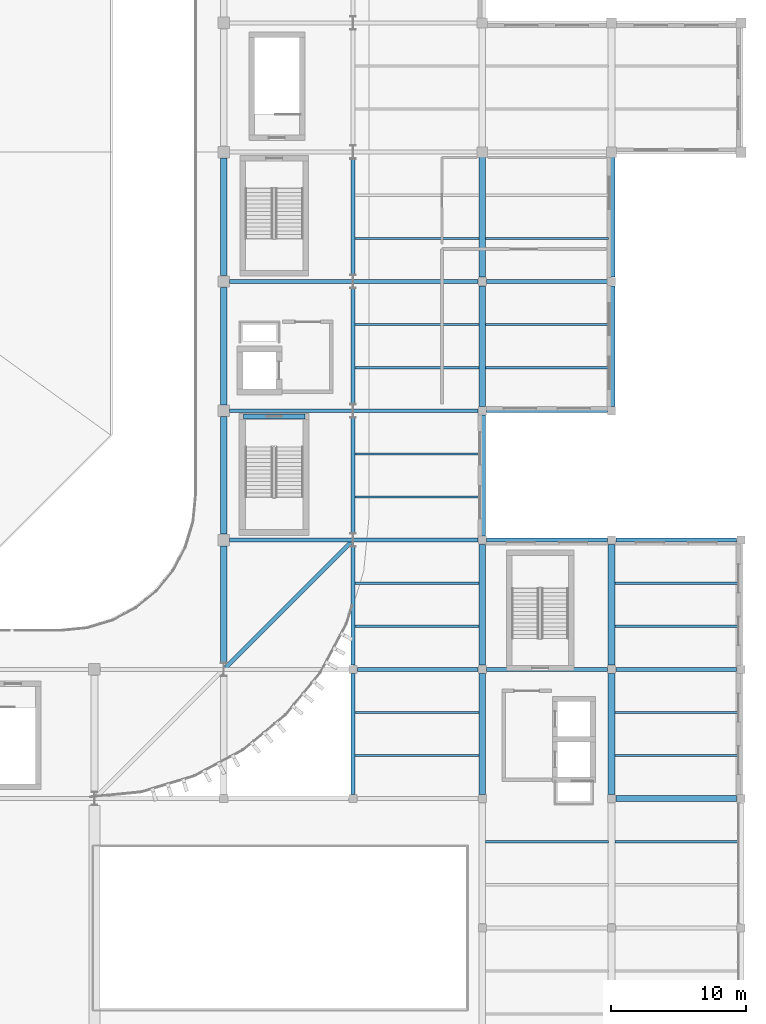
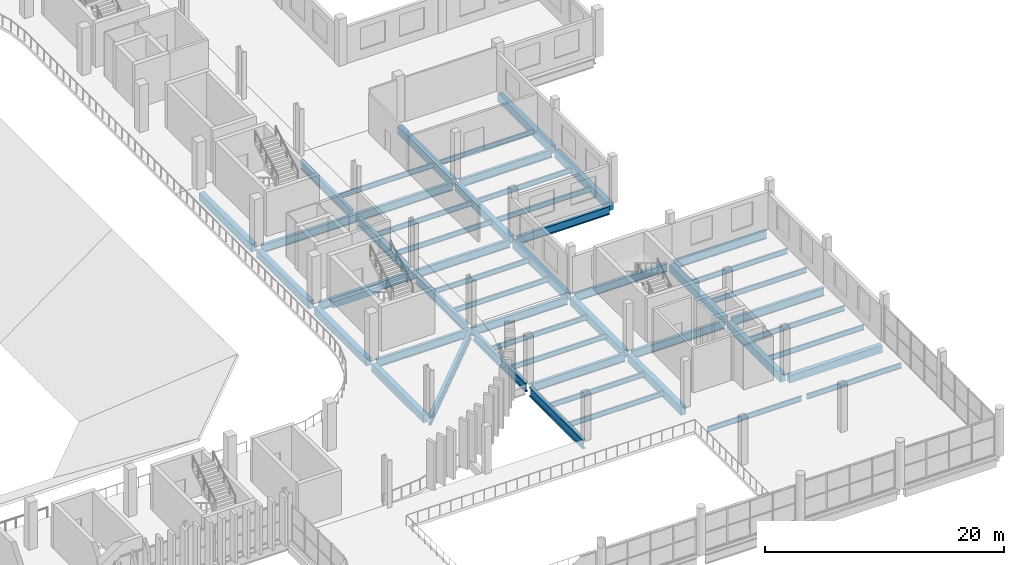
# One storey, part 41 of 99: 52 beams.
"""IFC4 building model written with IfcOpenShell, lengths in metres."""

from ifc_helpers import new_model, si_unit, direction, frame, origin, origin_2d, place, context, subcontext, project, spatial, rectangle, i_section, extrude, material, material_profile, profile_set, type_object, element, save


model = new_model("IFC4")

# Units and contexts
model_context = context("Model", 3, precision=1e-05, world=origin(), true_north=direction((0.0, 1.0)))
body_context = subcontext(model_context, "Body", "Model", "MODEL_VIEW")
ifc_project = project(units=[si_unit("LENGTHUNIT", "METRE"), si_unit("AREAUNIT", "SQUARE_METRE"), si_unit("VOLUMEUNIT", "CUBIC_METRE"), si_unit("PLANEANGLEUNIT", "RADIAN"), si_unit("MASSUNIT", "GRAM", prefix="KILO")], contexts=[model_context])

# Site, building, storey
site_placement = place(None, origin())
site = spatial("IfcSite", under=ifc_project, at=site_placement, CompositionType="ELEMENT")
building_placement = place(site_placement, origin())
building = spatial("IfcBuilding", under=site, at=building_placement, Name="Caelomonte Colonnade Arena", CompositionType="ELEMENT")
storey_placement = place(building_placement, frame((0.0, 0.0, 4.800048828125)))
storey = spatial("IfcBuildingStorey", under=building, at=storey_placement, Name="L01", CompositionType="ELEMENT", Elevation=4.800048828125)

# Beams
ifc_material_1 = material(Name="Wide-flange steel ASTM A992 Grade 50", Category="steel")
ifc_material_profile_1 = material_profile(ifc_material_1, i_section(OverallWidth=0.307861328125, OverallDepth=0.927001953125, WebThickness=0.019287109375, FlangeThickness=0.031982421875, FilletRadius=0.020263671875, at=origin_2d()), Name="W36X194")
ifc_profile_set_1 = profile_set([ifc_material_profile_1], Name="Wide-flange steel ASTM A992 Grade 50")
beam_type_1 = type_object("IfcBeamType", Name="STR-BM-EAVES2", PredefinedType="SPANDREL", material=ifc_profile_set_1)
beam_1_placement = place(storey_placement, frame((163.199951171875, 19.51708984375, -0.763427734375), z_axis=(0.0, 1.0, 0.0), x_axis=(-1.0, 0.0, 0.0)))
element("IfcBeam", 1, at=beam_1_placement, inside=storey, type_object=beam_type_1, Name="L01 girder BMY-L01-1632-0192", PredefinedType="SPANDREL", context=body_context, shape_type="SweptSolid", body=[
    extrude(i_section(OverallWidth=0.307861328125, OverallDepth=0.927001953125, WebThickness=0.019287109375, FlangeThickness=0.031982421875, FilletRadius=0.020263671875, at=origin_2d()), origin(), (0.0, 0.0, 1.0), 8.9658203125),
])
beam_2_placement = place(storey_placement, frame((163.199951171875, 29.116943359375, -0.763427734375), z_axis=(0.0, 1.0, 0.0), x_axis=(-1.0, 0.0, 0.0)))
element("IfcBeam", 2, at=beam_2_placement, inside=storey, type_object=beam_type_1, Name="L01 girder BMY-L01-1632-0288", PredefinedType="SPANDREL", context=body_context, shape_type="SweptSolid", body=[
    extrude(i_section(OverallWidth=0.307861328125, OverallDepth=0.927001953125, WebThickness=0.019287109375, FlangeThickness=0.031982421875, FilletRadius=0.020263671875, at=origin_2d()), origin(), (0.0, 0.0, 1.0), 8.770263671875),
])
for number, where, z_axis, x_axis, name in (
    (3, (163.199951171875, 38.91259765625, -0.763427734375), (0.0, 1.0, 0.0), (-1.0, 0.0, 0.0), "L01 girder BMY-L01-1632-0384"),
    (4, (163.199951171875, 48.5126953125, -0.763427734375), (0.0, 1.0, 0.0), (-1.0, 0.0, 0.0), "L01 girder BMY-L01-1632-0480"),
):
    element("IfcBeam", number, at=place(storey_placement, frame(where, z_axis=z_axis, x_axis=x_axis)), inside=storey, type_object=beam_type_1, Name=name, PredefinedType="SPANDREL", context=body_context, shape_type="SweptSolid", body=[
        extrude(i_section(OverallWidth=0.307861328125, OverallDepth=0.927001953125, WebThickness=0.019287109375, FlangeThickness=0.031982421875, FilletRadius=0.020263671875, at=origin_2d()), origin(), (0.0, 0.0, 1.0), 8.57470703125),
    ])
beam_3_placement = place(storey_placement, frame((163.199951171875, 58.11279296875, -0.763427734375), z_axis=(0.0, 1.0, 0.0), x_axis=(-1.0, 0.0, 0.0)))
element("IfcBeam", 5, at=beam_3_placement, inside=storey, type_object=beam_type_1, Name="L01 girder BMY-L01-1632-0576", PredefinedType="SPANDREL", context=body_context, shape_type="SweptSolid", body=[
    extrude(i_section(OverallWidth=0.307861328125, OverallDepth=0.927001953125, WebThickness=0.019287109375, FlangeThickness=0.031982421875, FilletRadius=0.020263671875, at=origin_2d()), origin(), (0.0, 0.0, 1.0), 8.574462890625),
])
beam_4_placement = place(storey_placement, frame((153.745361328125, 28.9453125, -0.763427734375), z_axis=(0.707106781187, 0.707106781187, 0.0), x_axis=(-0.707106781187, 0.707106781187, 0.0)))
element("IfcBeam", 6, at=beam_4_placement, inside=storey, type_object=beam_type_1, Name="L01 drum corner ring girder 4", PredefinedType="SPANDREL", context=body_context, shape_type="SweptSolid", body=[
    extrude(i_section(OverallWidth=0.307861328125, OverallDepth=0.927001953125, WebThickness=0.019287109375, FlangeThickness=0.031982421875, FilletRadius=0.020263671875, at=origin_2d()), origin(), (0.0, 0.0, 1.0), 13.165283203125),
])
ifc_material_profile_2 = material_profile(ifc_material_1, i_section(OverallWidth=0.2919921875, OverallDepth=0.835693359375, WebThickness=0.013916015625, FlangeThickness=0.018798828125, FilletRadius=0.017822265625, at=origin_2d()), Name="W33X118")
ifc_profile_set_2 = profile_set([ifc_material_profile_2], Name="Wide-flange steel ASTM A992 Grade 50")
beam_type_2 = type_object("IfcBeamType", Name="STR-BM-GIRD33B", PredefinedType="BEAM", material=ifc_profile_set_2)
beam_5_placement = place(storey_placement, frame((163.51708984375, 28.800048828125, -0.7177734375), z_axis=(1.0, 0.0, 0.0), x_axis=(0.0, 1.0, 0.0)))
element("IfcBeam", 7, at=beam_5_placement, inside=storey, type_object=beam_type_2, Name="L01 girder BMX-L01-1632-0288", PredefinedType="BEAM", context=body_context, shape_type="SweptSolid", body=[
    extrude(i_section(OverallWidth=0.2919921875, OverallDepth=0.835693359375, WebThickness=0.013916015625, FlangeThickness=0.018798828125, FilletRadius=0.017822265625, at=origin_2d()), origin(), (0.0, 0.0, 1.0), 8.9658203125),
])
for number, where, z_axis, x_axis, name in (
    (8, (173.116943359375, 28.800048828125, -0.7177734375), (1.0, 0.0, 0.0), (0.0, 1.0, 0.0), "L01 girder BMX-L01-1728-0288"),
    (9, (182.717041015625, 28.800048828125, -0.7177734375), (1.0, 0.0, 0.0), (0.0, 1.0, 0.0), "L01 girder BMX-L01-1824-0288"),
):
    element("IfcBeam", number, at=place(storey_placement, frame(where, z_axis=z_axis, x_axis=x_axis)), inside=storey, type_object=beam_type_2, Name=name, PredefinedType="BEAM", context=body_context, shape_type="SweptSolid", body=[
        extrude(i_section(OverallWidth=0.2919921875, OverallDepth=0.835693359375, WebThickness=0.013916015625, FlangeThickness=0.018798828125, FilletRadius=0.017822265625, at=origin_2d()), origin(), (0.0, 0.0, 1.0), 8.966064453125),
    ])
beam_6_placement = place(storey_placement, frame((154.0419921875, 38.39990234375, -0.7177734375), z_axis=(1.0, 0.0, 0.0), x_axis=(0.0, 1.0, 0.0)))
element("IfcBeam", 10, at=beam_6_placement, inside=storey, type_object=beam_type_2, Name="L01 girder BMX-L01-1536-0384", PredefinedType="BEAM", context=body_context, shape_type="SweptSolid", body=[
    extrude(i_section(OverallWidth=0.2919921875, OverallDepth=0.835693359375, WebThickness=0.013916015625, FlangeThickness=0.018798828125, FilletRadius=0.017822265625, at=origin_2d()), origin(), (0.0, 0.0, 1.0), 9.142578125),
])
beam_7_placement = place(storey_placement, frame((163.215576171875, 38.39990234375, -0.7177734375), z_axis=(1.0, 0.0, 0.0), x_axis=(0.0, 1.0, 0.0)))
element("IfcBeam", 11, at=beam_7_placement, inside=storey, type_object=beam_type_2, Name="L01 girder BMX-L01-1632-0384", PredefinedType="BEAM", context=body_context, shape_type="SweptSolid", body=[
    extrude(i_section(OverallWidth=0.2919921875, OverallDepth=0.835693359375, WebThickness=0.013916015625, FlangeThickness=0.018798828125, FilletRadius=0.017822265625, at=origin_2d()), origin(), (0.0, 0.0, 1.0), 9.267333984375),
])
for number, where, z_axis, x_axis, name in (
    (12, (173.116943359375, 38.39990234375, -0.7177734375), (1.0, 0.0, 0.0), (0.0, 1.0, 0.0), "L01 girder BMX-L01-1728-0384"),
    (13, (182.717041015625, 38.39990234375, -0.7177734375), (1.0, 0.0, 0.0), (0.0, 1.0, 0.0), "L01 girder BMX-L01-1824-0384"),
):
    element("IfcBeam", number, at=place(storey_placement, frame(where, z_axis=z_axis, x_axis=x_axis)), inside=storey, type_object=beam_type_2, Name=name, PredefinedType="BEAM", context=body_context, shape_type="SweptSolid", body=[
        extrude(i_section(OverallWidth=0.2919921875, OverallDepth=0.835693359375, WebThickness=0.013916015625, FlangeThickness=0.018798828125, FilletRadius=0.017822265625, at=origin_2d()), origin(), (0.0, 0.0, 1.0), 8.966064453125),
    ])
beam_8_placement = place(storey_placement, frame((154.0419921875, 48.0, -0.7177734375), z_axis=(1.0, 0.0, 0.0), x_axis=(0.0, 1.0, 0.0)))
element("IfcBeam", 14, at=beam_8_placement, inside=storey, type_object=beam_type_2, Name="L01 girder BMX-L01-1536-0480", PredefinedType="BEAM", context=body_context, shape_type="SweptSolid", body=[
    extrude(i_section(OverallWidth=0.2919921875, OverallDepth=0.835693359375, WebThickness=0.013916015625, FlangeThickness=0.018798828125, FilletRadius=0.017822265625, at=origin_2d()), origin(), (0.0, 0.0, 1.0), 9.142578125),
])
beam_9_placement = place(storey_placement, frame((163.215576171875, 48.0, -0.7177734375), z_axis=(1.0, 0.0, 0.0), x_axis=(0.0, 1.0, 0.0)))
element("IfcBeam", 15, at=beam_9_placement, inside=storey, type_object=beam_type_2, Name="L01 girder BMX-L01-1632-0480", PredefinedType="BEAM", context=body_context, shape_type="SweptSolid", body=[
    extrude(i_section(OverallWidth=0.2919921875, OverallDepth=0.835693359375, WebThickness=0.013916015625, FlangeThickness=0.018798828125, FilletRadius=0.017822265625, at=origin_2d()), origin(), (0.0, 0.0, 1.0), 9.267333984375),
])
beam_10_placement = place(storey_placement, frame((173.116943359375, 48.0, -0.7177734375), z_axis=(1.0, 0.0, 0.0), x_axis=(0.0, 1.0, 0.0)))
element("IfcBeam", 16, at=beam_10_placement, inside=storey, type_object=beam_type_2, Name="L01 girder BMX-L01-1728-0480", PredefinedType="BEAM", context=body_context, shape_type="SweptSolid", body=[
    extrude(i_section(OverallWidth=0.2919921875, OverallDepth=0.835693359375, WebThickness=0.013916015625, FlangeThickness=0.018798828125, FilletRadius=0.017822265625, at=origin_2d()), origin(), (0.0, 0.0, 1.0), 8.966064453125),
])
beam_11_placement = place(storey_placement, frame((154.0419921875, 57.60009765625, -0.7177734375), z_axis=(1.0, 0.0, 0.0), x_axis=(0.0, 1.0, 0.0)))
element("IfcBeam", 17, at=beam_11_placement, inside=storey, type_object=beam_type_2, Name="L01 girder BMX-L01-1536-0576", PredefinedType="BEAM", context=body_context, shape_type="SweptSolid", body=[
    extrude(i_section(OverallWidth=0.2919921875, OverallDepth=0.835693359375, WebThickness=0.013916015625, FlangeThickness=0.018798828125, FilletRadius=0.017822265625, at=origin_2d()), origin(), (0.0, 0.0, 1.0), 9.142578125),
])
beam_12_placement = place(storey_placement, frame((163.215576171875, 57.60009765625, -0.7177734375), z_axis=(1.0, 0.0, 0.0), x_axis=(0.0, 1.0, 0.0)))
element("IfcBeam", 18, at=beam_12_placement, inside=storey, type_object=beam_type_2, Name="L01 girder BMX-L01-1632-0576", PredefinedType="BEAM", context=body_context, shape_type="SweptSolid", body=[
    extrude(i_section(OverallWidth=0.2919921875, OverallDepth=0.835693359375, WebThickness=0.013916015625, FlangeThickness=0.018798828125, FilletRadius=0.017822265625, at=origin_2d()), origin(), (0.0, 0.0, 1.0), 9.267333984375),
])
beam_13_placement = place(storey_placement, frame((173.116943359375, 57.60009765625, -0.7177734375), z_axis=(1.0, 0.0, 0.0), x_axis=(0.0, 1.0, 0.0)))
element("IfcBeam", 19, at=beam_13_placement, inside=storey, type_object=beam_type_2, Name="L01 girder BMX-L01-1728-0576", PredefinedType="BEAM", context=body_context, shape_type="SweptSolid", body=[
    extrude(i_section(OverallWidth=0.2919921875, OverallDepth=0.835693359375, WebThickness=0.013916015625, FlangeThickness=0.018798828125, FilletRadius=0.017822265625, at=origin_2d()), origin(), (0.0, 0.0, 1.0), 8.966064453125),
])
ifc_material_profile_3 = material_profile(ifc_material_1, i_section(OverallWidth=0.166015625, OverallDepth=0.5283203125, WebThickness=0.009765625, FlangeThickness=0.013671875, FilletRadius=0.0126953125, at=origin_2d()), Name="W21X50")
ifc_profile_set_3 = profile_set([ifc_material_profile_3], Name="Wide-flange steel ASTM A992 Grade 50")
beam_type_3 = type_object("IfcBeamType", Name="STR-BM-JOIST21B", PredefinedType="JOIST", material=ifc_profile_set_3)
for number, where, z_axis, x_axis, name in (
    (20, (163.348876953125, 22.39990234375, -0.564208984375), (1.0, 0.0, 0.0), (0.0, 1.0, 0.0), "L01 secondary joist 1"),
    (21, (163.348876953125, 25.60009765625, -0.564208984375), (1.0, 0.0, 0.0), (0.0, 1.0, 0.0), "L01 secondary joist 2"),
    (22, (163.348876953125, 32.0, -0.564208984375), (1.0, 0.0, 0.0), (0.0, 1.0, 0.0), "L01 secondary joist 1"),
    (23, (163.348876953125, 35.199951171875, -0.564208984375), (1.0, 0.0, 0.0), (0.0, 1.0, 0.0), "L01 secondary joist 2"),
    (24, (163.348876953125, 41.60009765625, -0.564208984375), (1.0, 0.0, 0.0), (0.0, 1.0, 0.0), "L01 secondary joist 1"),
    (25, (163.348876953125, 44.800048828125, -0.564208984375), (1.0, 0.0, 0.0), (0.0, 1.0, 0.0), "L01 secondary joist 2"),
    (26, (163.348876953125, 51.199951171875, -0.564208984375), (1.0, 0.0, 0.0), (0.0, 1.0, 0.0), "L01 secondary joist 1"),
    (27, (163.348876953125, 54.39990234375, -0.564208984375), (1.0, 0.0, 0.0), (0.0, 1.0, 0.0), "L01 secondary joist 2"),
    (28, (163.348876953125, 60.800048828125, -0.564208984375), (1.0, 0.0, 0.0), (0.0, 1.0, 0.0), "L01 secondary joist 1"),
):
    element("IfcBeam", number, at=place(storey_placement, frame(where, z_axis=z_axis, x_axis=x_axis)), inside=storey, type_object=beam_type_3, Name=name, PredefinedType="JOIST", context=body_context, shape_type="SweptSolid", body=[
        extrude(i_section(OverallWidth=0.166015625, OverallDepth=0.5283203125, WebThickness=0.009765625, FlangeThickness=0.013671875, FilletRadius=0.0126953125, at=origin_2d()), origin(), (0.0, 0.0, 1.0), 9.2060546875),
    ])
for number, where, z_axis, x_axis, name in (
    (29, (173.044921875, 16.0, -0.564208984375), (1.0, 0.0, 0.0), (0.0, 1.0, 0.0), "L01 secondary joist 2"),
    (30, (173.044921875, 51.199951171875, -0.564208984375), (1.0, 0.0, 0.0), (0.0, 1.0, 0.0), "L01 secondary joist 1"),
    (31, (173.044921875, 54.39990234375, -0.564208984375), (1.0, 0.0, 0.0), (0.0, 1.0, 0.0), "L01 secondary joist 2"),
    (32, (173.044921875, 60.800048828125, -0.564208984375), (1.0, 0.0, 0.0), (0.0, 1.0, 0.0), "L01 secondary joist 1"),
):
    element("IfcBeam", number, at=place(storey_placement, frame(where, z_axis=z_axis, x_axis=x_axis)), inside=storey, type_object=beam_type_3, Name=name, PredefinedType="JOIST", context=body_context, shape_type="SweptSolid", body=[
        extrude(i_section(OverallWidth=0.166015625, OverallDepth=0.5283203125, WebThickness=0.009765625, FlangeThickness=0.013671875, FilletRadius=0.0126953125, at=origin_2d()), origin(), (0.0, 0.0, 1.0), 9.110107421875),
    ])
beam_14_placement = place(storey_placement, frame((182.64501953125, 16.0, -0.564208984375), z_axis=(1.0, 0.0, 0.0), x_axis=(0.0, 1.0, 0.0)))
element("IfcBeam", 33, at=beam_14_placement, inside=storey, type_object=beam_type_3, Name="L01 secondary joist 2", PredefinedType="JOIST", context=body_context, shape_type="SweptSolid", body=[
    extrude(i_section(OverallWidth=0.166015625, OverallDepth=0.5283203125, WebThickness=0.009765625, FlangeThickness=0.013671875, FilletRadius=0.0126953125, at=origin_2d()), origin(), (0.0, 0.0, 1.0), 9.135009765625),
])
for number, where, z_axis, x_axis, name in (
    (34, (182.64501953125, 22.39990234375, -0.564208984375), (1.0, 0.0, 0.0), (0.0, 1.0, 0.0), "L01 secondary joist 1"),
    (35, (182.64501953125, 25.60009765625, -0.564208984375), (1.0, 0.0, 0.0), (0.0, 1.0, 0.0), "L01 secondary joist 2"),
    (36, (182.64501953125, 32.0, -0.564208984375), (1.0, 0.0, 0.0), (0.0, 1.0, 0.0), "L01 secondary joist 1"),
    (37, (182.64501953125, 35.199951171875, -0.564208984375), (1.0, 0.0, 0.0), (0.0, 1.0, 0.0), "L01 secondary joist 2"),
):
    element("IfcBeam", number, at=place(storey_placement, frame(where, z_axis=z_axis, x_axis=x_axis)), inside=storey, type_object=beam_type_3, Name=name, PredefinedType="JOIST", context=body_context, shape_type="SweptSolid", body=[
        extrude(i_section(OverallWidth=0.166015625, OverallDepth=0.5283203125, WebThickness=0.009765625, FlangeThickness=0.013671875, FilletRadius=0.0126953125, at=origin_2d()), origin(), (0.0, 0.0, 1.0), 9.2060546875),
    ])
ifc_material_2 = material(Name="Concrete C40/50", Category="concrete")
ifc_material_profile_4 = material_profile(ifc_material_2, rectangle(XDim=0.39990234375, YDim=0.64990234375, at=origin_2d()), Name="RC400X650")
ifc_profile_set_4 = profile_set([ifc_material_profile_4], Name="Concrete C40/50")
beam_type_4 = type_object("IfcBeamType", Name="STR-BM-LINT40", PredefinedType="LINTEL", material=ifc_profile_set_4)
beam_15_placement = place(storey_placement, frame((155.074951171875, 47.574951171875, -0.625), z_axis=(1.0, 0.0, 0.0), x_axis=(0.0, 1.0, 0.0)))
element("IfcBeam", 38, at=beam_15_placement, inside=storey, type_object=beam_type_4, Name="Core C2 L01 coupling lintel beam", PredefinedType="LINTEL", context=body_context, shape_type="SweptSolid", body=[
    extrude(rectangle(XDim=0.39990234375, YDim=0.64990234375, at=origin_2d()), origin(), (0.0, 0.0, 1.0), 4.550048828125),
])
ifc_material_profile_5 = material_profile(ifc_material_2, rectangle(XDim=0.5, YDim=0.800048828125, at=origin_2d()), Name="RC500X800")
ifc_profile_set_5 = profile_set([ifc_material_profile_5], Name="Concrete C40/50")
beam_type_5 = type_object("IfcBeamType", Name="STR-BM-RC50", PredefinedType="BEAM", material=ifc_profile_set_5)
beam_16_placement = place(storey_placement, frame((153.60009765625, 29.312744140625, -0.699951171875), z_axis=(0.0, 1.0, 0.0), x_axis=(-1.0, 0.0, 0.0)))
element("IfcBeam", 39, at=beam_16_placement, inside=storey, type_object=beam_type_5, Name="L01 girder BMY-L01-1536-0288", PredefinedType="BEAM", context=body_context, shape_type="SweptSolid", body=[
    extrude(rectangle(XDim=0.5, YDim=0.800048828125, at=origin_2d()), origin(), (0.0, 0.0, 1.0), 8.645263671875),
])
for number, where, z_axis, x_axis, name in (
    (40, (153.60009765625, 38.842041015625, -0.699951171875), (0.0, 1.0, 0.0), (-1.0, 0.0, 0.0), "L01 girder BMY-L01-1536-0384"),
    (41, (153.60009765625, 48.44189453125, -0.699951171875), (0.0, 1.0, 0.0), (-1.0, 0.0, 0.0), "L01 girder BMY-L01-1536-0480"),
    (42, (153.60009765625, 58.0419921875, -0.699951171875), (0.0, 1.0, 0.0), (-1.0, 0.0, 0.0), "L01 girder BMY-L01-1536-0576"),
):
    element("IfcBeam", number, at=place(storey_placement, frame(where, z_axis=z_axis, x_axis=x_axis)), inside=storey, type_object=beam_type_5, Name=name, PredefinedType="BEAM", context=body_context, shape_type="SweptSolid", body=[
        extrude(rectangle(XDim=0.5, YDim=0.800048828125, at=origin_2d()), origin(), (0.0, 0.0, 1.0), 8.716064453125),
    ])
beam_17_placement = place(storey_placement, frame((172.800048828125, 19.51708984375, -0.699951171875), z_axis=(0.0, 1.0, 0.0), x_axis=(-1.0, 0.0, 0.0)))
element("IfcBeam", 43, at=beam_17_placement, inside=storey, type_object=beam_type_5, Name="L01 girder BMY-L01-1728-0192", PredefinedType="BEAM", context=body_context, shape_type="SweptSolid", body=[
    extrude(rectangle(XDim=0.5, YDim=0.800048828125, at=origin_2d()), origin(), (0.0, 0.0, 1.0), 8.9658203125),
])
for number, where, z_axis, x_axis, name in (
    (44, (172.800048828125, 29.116943359375, -0.699951171875), (0.0, 1.0, 0.0), (-1.0, 0.0, 0.0), "L01 girder BMY-L01-1728-0288"),
    (45, (172.800048828125, 38.717041015625, -0.699951171875), (0.0, 1.0, 0.0), (-1.0, 0.0, 0.0), "L01 girder BMY-L01-1728-0384"),
    (46, (172.800048828125, 48.31689453125, -0.699951171875), (0.0, 1.0, 0.0), (-1.0, 0.0, 0.0), "L01 girder BMY-L01-1728-0480"),
):
    element("IfcBeam", number, at=place(storey_placement, frame(where, z_axis=z_axis, x_axis=x_axis)), inside=storey, type_object=beam_type_5, Name=name, PredefinedType="BEAM", context=body_context, shape_type="SweptSolid", body=[
        extrude(rectangle(XDim=0.5, YDim=0.800048828125, at=origin_2d()), origin(), (0.0, 0.0, 1.0), 8.966064453125),
    ])
beam_18_placement = place(storey_placement, frame((172.800048828125, 57.9169921875, -0.699951171875), z_axis=(0.0, 1.0, 0.0), x_axis=(-1.0, 0.0, 0.0)))
element("IfcBeam", 47, at=beam_18_placement, inside=storey, type_object=beam_type_5, Name="L01 girder BMY-L01-1728-0576", PredefinedType="BEAM", context=body_context, shape_type="SweptSolid", body=[
    extrude(rectangle(XDim=0.5, YDim=0.800048828125, at=origin_2d()), origin(), (0.0, 0.0, 1.0), 8.916015625),
])
beam_19_placement = place(storey_placement, frame((182.39990234375, 19.51708984375, -0.699951171875), z_axis=(0.0, 1.0, 0.0), x_axis=(-1.0, 0.0, 0.0)))
element("IfcBeam", 48, at=beam_19_placement, inside=storey, type_object=beam_type_5, Name="L01 girder BMY-L01-1824-0192", PredefinedType="BEAM", context=body_context, shape_type="SweptSolid", body=[
    extrude(rectangle(XDim=0.5, YDim=0.800048828125, at=origin_2d()), origin(), (0.0, 0.0, 1.0), 8.9658203125),
])
for number, where, z_axis, x_axis, name in (
    (49, (182.39990234375, 29.116943359375, -0.699951171875), (0.0, 1.0, 0.0), (-1.0, 0.0, 0.0), "L01 girder BMY-L01-1824-0288"),
    (50, (182.39990234375, 48.31689453125, -0.699951171875), (0.0, 1.0, 0.0), (-1.0, 0.0, 0.0), "L01 girder BMY-L01-1824-0480"),
):
    element("IfcBeam", number, at=place(storey_placement, frame(where, z_axis=z_axis, x_axis=x_axis)), inside=storey, type_object=beam_type_5, Name=name, PredefinedType="BEAM", context=body_context, shape_type="SweptSolid", body=[
        extrude(rectangle(XDim=0.5, YDim=0.800048828125, at=origin_2d()), origin(), (0.0, 0.0, 1.0), 8.966064453125),
    ])
beam_20_placement = place(storey_placement, frame((182.39990234375, 57.9169921875, -0.699951171875), z_axis=(0.0, 1.0, 0.0), x_axis=(-1.0, 0.0, 0.0)))
element("IfcBeam", 51, at=beam_20_placement, inside=storey, type_object=beam_type_5, Name="L01 girder BMY-L01-1824-0576", PredefinedType="BEAM", context=body_context, shape_type="SweptSolid", body=[
    extrude(rectangle(XDim=0.5, YDim=0.800048828125, at=origin_2d()), origin(), (0.0, 0.0, 1.0), 8.916015625),
])
ifc_material_profile_6 = material_profile(ifc_material_2, rectangle(XDim=0.449951171875, YDim=0.75, at=origin_2d()), Name="RC450X750")
ifc_profile_set_6 = profile_set([ifc_material_profile_6], Name="Concrete C40/50")
beam_type_6 = type_object("IfcBeamType", Name="STR-BM-SPAN24", PredefinedType="SPANDREL", material=ifc_profile_set_6)
beam_21_placement = place(storey_placement, frame((182.717041015625, 19.199951171875, -0.675048828125), z_axis=(1.0, 0.0, 0.0), x_axis=(0.0, 1.0, 0.0)))
element("IfcBeam", 52, at=beam_21_placement, inside=storey, type_object=beam_type_6, Name="L01 girder BMX-L01-1824-0192", PredefinedType="SPANDREL", context=body_context, shape_type="SweptSolid", body=[
    extrude(rectangle(XDim=0.449951171875, YDim=0.75, at=origin_2d()), origin(), (0.0, 0.0, 1.0), 8.966064453125),
])

save(model, "model.ifc")
